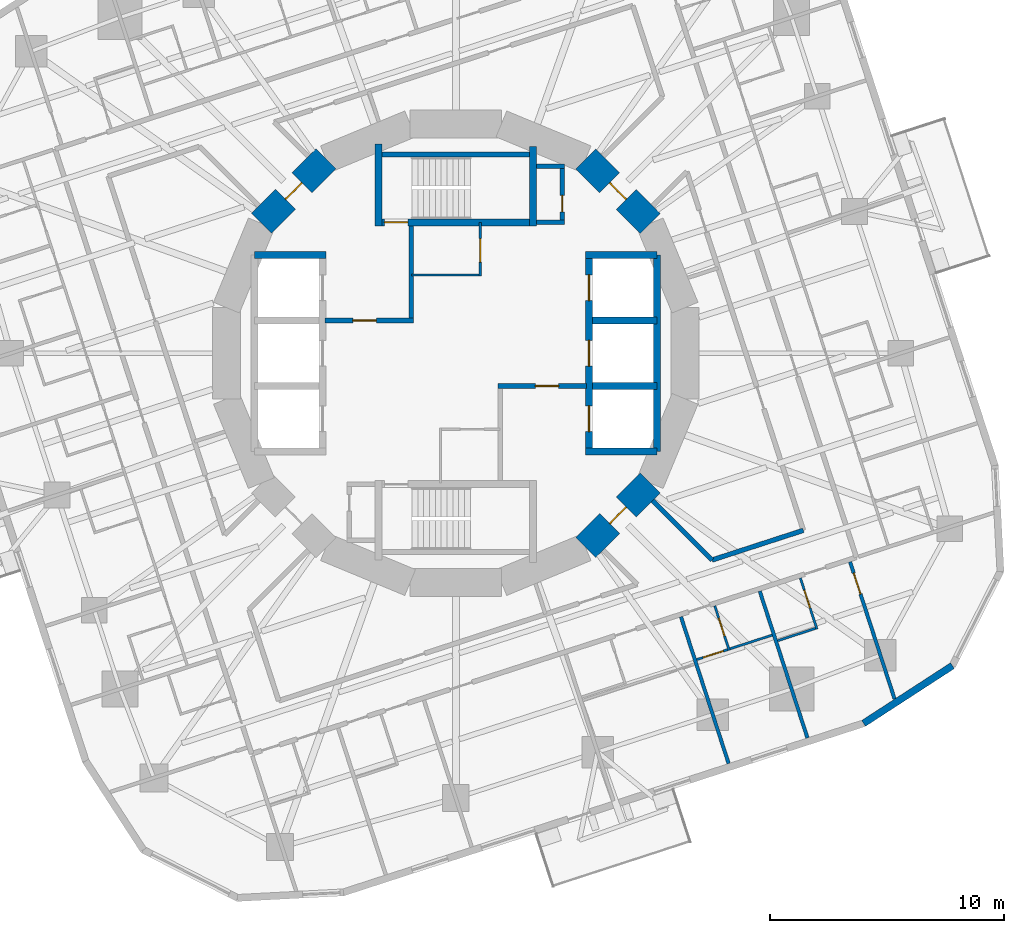
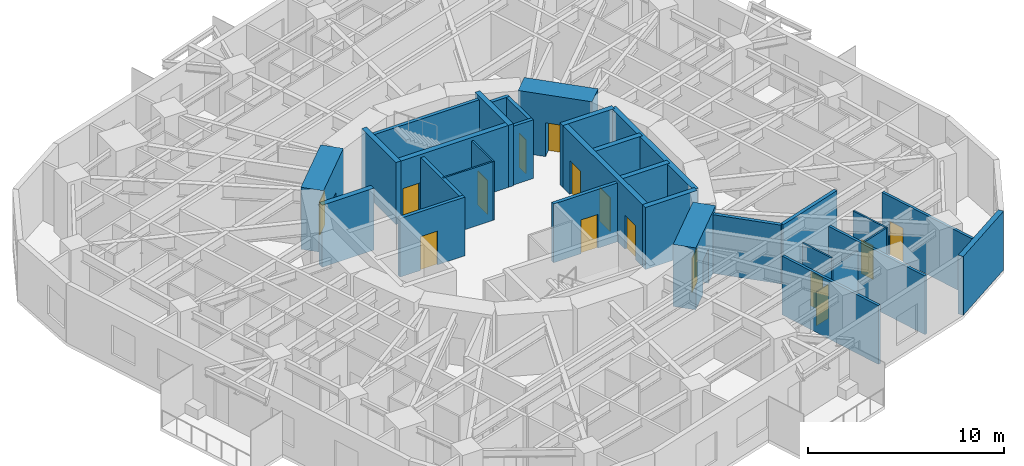
# One storey, part 7 of 13: 33 walls, 15 doors, 15 openings.
"""IFC4 building model written with IfcOpenShell, lengths in metres."""

from ifc_helpers import new_model, si_unit, direction, frame, frame_2d, origin, place, context, subcontext, project, spatial, rectangle, extrude, material, layer, layer_set, type_object, element, fill, save


model = new_model("IFC4")

# Units and contexts
model_context = context("Model", 3, precision=1e-05, world=origin(), true_north=direction((0.0, 1.0)))
body_context = subcontext(model_context, "Body", "Model", "MODEL_VIEW")
ifc_project = project(units=[si_unit("LENGTHUNIT", "METRE"), si_unit("AREAUNIT", "SQUARE_METRE"), si_unit("VOLUMEUNIT", "CUBIC_METRE"), si_unit("PLANEANGLEUNIT", "RADIAN"), si_unit("MASSUNIT", "GRAM", prefix="KILO")], contexts=[model_context])

# Site, building, storey
site_placement = place(None, origin())
site = spatial("IfcSite", under=ifc_project, at=site_placement, CompositionType="ELEMENT")
building_placement = place(site_placement, origin())
building = spatial("IfcBuilding", under=site, at=building_placement, Name="Nakasero Lantern House", CompositionType="ELEMENT")
storey_placement = place(building_placement, frame((0.0, 0.0, 157.199951171875)))
storey = spatial("IfcBuildingStorey", under=building, at=storey_placement, Name="L38", CompositionType="ELEMENT", Elevation=157.199951171875)

# Wall, openings, doors
ifc_material_1 = material(Name="Concrete C50/60", Category="concrete")
ifc_layer_1 = layer(ifc_material_1, 0.300048828125)
ifc_layer_set_1 = layer_set([ifc_layer_1], Name="Core inner wall 300")
wall_type_1 = type_object("IfcWallType", Name="Core inner wall 300", PredefinedType="SHEAR", material=ifc_layer_set_1)
wall_1_placement = place(storey_placement, frame((5.699951171875, -4.199951171875, 0.0), z_axis=(0.0, 0.0, 1.0), x_axis=(0.0, 1.0, 0.0)))
wall_1 = element("IfcWall", 1, at=wall_1_placement, inside=storey, type_object=wall_type_1, Name="Core inner wall L38 LE", PredefinedType="SHEAR", context=body_context, shape_type="SweptSolid", body=[
    extrude(rectangle(XDim=8.39990234375, YDim=0.300048828125, at=frame_2d((4.199951171875, 0.0))), origin(), (0.0, 0.0, 1.0), 3.85009765625),
])
opening_1_placement = place(wall_1_placement, frame((0.85009765625, 0.0, 0.0)))
opening_1 = element("IfcOpeningElement", 2, at=opening_1_placement, cuts=wall_1, Name="Opening LD", PredefinedType="OPENING", context=body_context, shape_type="SweptSolid", body=[
    extrude(rectangle(XDim=1.10009765625, YDim=2.10009765625, at=frame_2d((0.550048828125, 1.050048828125))), frame((0.0, 0.169921875, 0.0), z_axis=(0.0, -1.0, 0.0), x_axis=(1.0, 0.0, 0.0)), (0.0, 0.0, 1.0), 0.340087890625),
])
opening_2_placement = place(wall_1_placement, frame((3.64990234375, 0.0, 0.0)))
opening_2 = element("IfcOpeningElement", 3, at=opening_2_placement, cuts=wall_1, Name="Opening LD", PredefinedType="OPENING", context=body_context, shape_type="SweptSolid", body=[
    extrude(rectangle(XDim=1.10009765625, YDim=2.10009765625, at=frame_2d((0.550048828125, 1.050048828125))), frame((0.0, 0.169921875, 0.0), z_axis=(0.0, -1.0, 0.0), x_axis=(1.0, 0.0, 0.0)), (0.0, 0.0, 1.0), 0.340087890625),
])
opening_3_placement = place(wall_1_placement, frame((6.449951171875, 0.0, 0.0)))
opening_3 = element("IfcOpeningElement", 4, at=opening_3_placement, cuts=wall_1, Name="Opening LD", PredefinedType="OPENING", context=body_context, shape_type="SweptSolid", body=[
    extrude(rectangle(XDim=1.10009765625, YDim=2.10009765625, at=frame_2d((0.550048828125, 1.050048828125))), frame((0.0, 0.169921875, 0.0), z_axis=(0.0, -1.0, 0.0), x_axis=(1.0, 0.0, 0.0)), (0.0, 0.0, 1.0), 0.340087890625),
])
ifc_material_2 = material(Name="Steel S355", Category="steel")
door_type_1 = type_object("IfcDoorType", Name="Lift landing door E120 1100", OperationType="SLIDING_TO_LEFT", PredefinedType="DOOR", material=ifc_material_2)
door_1_placement = place(opening_1_placement, origin())
door_1 = element("IfcDoor", 5, at=door_1_placement, inside=storey, type_object=door_type_1, Name="Lift landing door LE1", OperationType="SLIDING_TO_LEFT", OverallHeight=2.10009765625, OverallWidth=1.10009765625, PredefinedType="DOOR", context=body_context, shape_type="SweptSolid", body=[
    extrude(rectangle(XDim=1.10009765625, YDim=2.10009765625, at=frame_2d((0.550048828125, 1.050048828125))), frame((0.0, 0.02490234375, 0.0), z_axis=(0.0, -1.0, 0.0), x_axis=(1.0, 0.0, 0.0)), (0.0, 0.0, 1.0), 0.050048828125),
])
fill(opening_1, door_1)
door_2_placement = place(opening_2_placement, origin())
door_2 = element("IfcDoor", 6, at=door_2_placement, inside=storey, type_object=door_type_1, Name="Lift landing door LE2", OperationType="SLIDING_TO_LEFT", OverallHeight=2.10009765625, OverallWidth=1.10009765625, PredefinedType="DOOR", context=body_context, shape_type="SweptSolid", body=[
    extrude(rectangle(XDim=1.10009765625, YDim=2.10009765625, at=frame_2d((0.550048828125, 1.050048828125))), frame((0.0, 0.02490234375, 0.0), z_axis=(0.0, -1.0, 0.0), x_axis=(1.0, 0.0, 0.0)), (0.0, 0.0, 1.0), 0.050048828125),
])
fill(opening_2, door_2)
door_3_placement = place(opening_3_placement, origin())
door_3 = element("IfcDoor", 7, at=door_3_placement, inside=storey, type_object=door_type_1, Name="Lift landing door LE3", OperationType="SLIDING_TO_LEFT", OverallHeight=2.10009765625, OverallWidth=1.10009765625, PredefinedType="DOOR", context=body_context, shape_type="SweptSolid", body=[
    extrude(rectangle(XDim=1.10009765625, YDim=2.10009765625, at=frame_2d((0.550048828125, 1.050048828125))), frame((0.0, 0.02490234375, 0.0), z_axis=(0.0, -1.0, 0.0), x_axis=(1.0, 0.0, 0.0)), (0.0, 0.0, 1.0), 0.050048828125),
])
fill(opening_3, door_3)

# Walls
for number, where, z_axis, x_axis, name in (
    (8, (-8.60009765625, 4.199951171875, 0.0), (0.0, 0.0, 1.0), (1.0, 0.0, 0.0), "Core inner wall L38 LWN"),
    (9, (5.550048828125, 4.199951171875, 0.0), (0.0, 0.0, 1.0), (1.0, 0.0, 0.0), "Core inner wall L38 LEN"),
    (10, (5.550048828125, -4.199951171875, 0.0), (0.0, 0.0, 1.0), (1.0, 0.0, 0.0), "Core inner wall L38 LES"),
):
    element("IfcWall", number, at=place(storey_placement, frame(where, z_axis=z_axis, x_axis=x_axis)), inside=storey, type_object=wall_type_1, Name=name, PredefinedType="SHEAR", context=body_context, shape_type="SweptSolid", body=[
        extrude(rectangle(XDim=3.050048828125, YDim=0.300048828125, at=frame_2d((1.52490234375, 0.0))), origin(), (0.0, 0.0, 1.0), 3.85009765625),
    ])
wall_2_placement = place(storey_placement, frame((8.60009765625, -4.199951171875, 0.0), z_axis=(0.0, 0.0, 1.0), x_axis=(0.0, 1.0, 0.0)))
element("IfcWall", 11, at=wall_2_placement, inside=storey, type_object=wall_type_1, Name="Core inner wall L38 LEB", PredefinedType="SHEAR", context=body_context, shape_type="SweptSolid", body=[
    extrude(rectangle(XDim=8.39990234375, YDim=0.300048828125, at=frame_2d((4.199951171875, 0.0))), origin(), (0.0, 0.0, 1.0), 3.85009765625),
])
for number, where, z_axis, x_axis, name in (
    (12, (5.85009765625, -1.39990234375, 0.0), (0.0, 0.0, 1.0), (1.0, 0.0, 0.0), "Core inner wall L38 LE1"),
    (13, (5.85009765625, 1.39990234375, 0.0), (0.0, 0.0, 1.0), (1.0, 0.0, 0.0), "Core inner wall L38 LE2"),
):
    element("IfcWall", number, at=place(storey_placement, frame(where, z_axis=z_axis, x_axis=x_axis)), inside=storey, type_object=wall_type_1, Name=name, PredefinedType="SHEAR", context=body_context, shape_type="SweptSolid", body=[
        extrude(rectangle(XDim=2.75, YDim=0.300048828125, at=frame_2d((1.375, 0.0))), origin(), (0.0, 0.0, 1.0), 3.85009765625),
    ])

# Wall, opening, door
wall_3_placement = place(storey_placement, frame((-3.449951171875, 5.60009765625, 0.0), z_axis=(0.0, 0.0, 1.0), x_axis=(1.0, 0.0, 0.0)))
wall_3 = element("IfcWall", 14, at=wall_3_placement, inside=storey, type_object=wall_type_1, Name="Core inner wall L38 SN", PredefinedType="SHEAR", context=body_context, shape_type="SweptSolid", body=[
    extrude(rectangle(XDim=6.89990234375, YDim=0.300048828125, at=frame_2d((3.449951171875, 0.0))), origin(), (0.0, 0.0, 1.0), 3.85009765625),
])
opening_4_placement = place(wall_3_placement, frame((0.39990234375, 0.0, 0.0)))
opening_4 = element("IfcOpeningElement", 15, at=opening_4_placement, cuts=wall_3, Name="Opening D05", PredefinedType="OPENING", context=body_context, shape_type="SweptSolid", body=[
    extrude(rectangle(XDim=1.0, YDim=2.10009765625, at=frame_2d((0.5, 1.050048828125))), frame((0.0, 0.169921875, 0.0), z_axis=(0.0, -1.0, 0.0), x_axis=(1.0, 0.0, 0.0)), (0.0, 0.0, 1.0), 0.340087890625),
])
ifc_material_3 = material(Name="Timber C24", Category="wood")
door_type_2 = type_object("IfcDoorType", Name="Core door FD60S 1000", OperationType="SINGLE_SWING_LEFT", PredefinedType="DOOR", material=ifc_material_3)
door_4_placement = place(opening_4_placement, origin())
door_4 = element("IfcDoor", 16, at=door_4_placement, inside=storey, type_object=door_type_2, Name="Door L38 D-ST1", OperationType="SINGLE_SWING_LEFT", OverallHeight=2.10009765625, OverallWidth=1.0, PredefinedType="DOOR", context=body_context, shape_type="SweptSolid", body=[
    extrude(rectangle(XDim=1.0, YDim=2.10009765625, at=frame_2d((0.5, 1.050048828125))), frame((0.0, 0.02490234375, 0.0), z_axis=(0.0, -1.0, 0.0), x_axis=(1.0, 0.0, 0.0)), (0.0, 0.0, 1.0), 0.050048828125),
])
fill(opening_4, door_4)

# Walls
wall_4_placement = place(storey_placement, frame((-3.300048828125, 5.449951171875, 0.0), z_axis=(0.0, 0.0, 1.0), x_axis=(0.0, 1.0, 0.0)))
element("IfcWall", 17, at=wall_4_placement, inside=storey, type_object=wall_type_1, Name="Core inner wall L38 SNW", PredefinedType="SHEAR", context=body_context, shape_type="SweptSolid", body=[
    extrude(rectangle(XDim=3.5, YDim=0.300048828125, at=frame_2d((1.75, 0.0))), origin(), (0.0, 0.0, 1.0), 3.85009765625),
])
wall_5_placement = place(storey_placement, frame((3.300048828125, 5.449951171875, 0.0), z_axis=(0.0, 0.0, 1.0), x_axis=(0.0, 1.0, 0.0)))
element("IfcWall", 18, at=wall_5_placement, inside=storey, type_object=wall_type_1, Name="Core inner wall L38 SNE", PredefinedType="SHEAR", context=body_context, shape_type="SweptSolid", body=[
    extrude(rectangle(XDim=3.400146484375, YDim=0.300048828125, at=frame_2d((1.7001953125, 0.0))), origin(), (0.0, 0.0, 1.0), 3.85009765625),
])
ifc_material_4 = material(Name="Blockwork", Category="masonry")
ifc_layer_2 = layer(ifc_material_4, 0.10009765625)
ifc_layer_set_2 = layer_set([ifc_layer_2], Name="Core room wall 100")
wall_type_2 = type_object("IfcWallType", Name="Core room wall 100", PredefinedType="PARTITIONING", material=ifc_layer_set_2)
wall_6_placement = place(storey_placement, frame((-1.89990234375, 3.35009765625, 0.0), z_axis=(0.0, 0.0, 1.0), x_axis=(1.0, 0.0, 0.0)))
element("IfcWall", 19, at=wall_6_placement, inside=storey, type_object=wall_type_2, Name="Core room wall L38 CR-NES", PredefinedType="PARTITIONING", context=body_context, shape_type="SweptSolid", body=[
    extrude(rectangle(XDim=3.0, YDim=0.10009765625, at=frame_2d((1.5, 0.0))), origin(), (0.0, 0.0, 1.0), 3.650146484375),
])

# Wall, opening, door
wall_7_placement = place(storey_placement, frame((1.050048828125, 3.300048828125, 0.0), z_axis=(0.0, 0.0, 1.0), x_axis=(0.0, 1.0, 0.0)))
wall_7 = element("IfcWall", 20, at=wall_7_placement, inside=storey, type_object=wall_type_2, Name="Core room wall L38 CR-NEE", PredefinedType="PARTITIONING", context=body_context, shape_type="SweptSolid", body=[
    extrude(rectangle(XDim=2.300048828125, YDim=0.10009765625, at=frame_2d((1.14990234375, 0.0))), origin(), (0.0, 0.0, 1.0), 3.650146484375),
])
opening_5_placement = place(wall_7_placement, frame((0.60009765625, 0.0, 0.0)))
opening_5 = element("IfcOpeningElement", 21, at=opening_5_placement, cuts=wall_7, Name="Opening D13", PredefinedType="OPENING", context=body_context, shape_type="SweptSolid", body=[
    extrude(rectangle(XDim=1.0, YDim=2.10009765625, at=frame_2d((0.5, 1.050048828125))), frame((0.0, 0.070068359375, 0.0), z_axis=(0.0, -1.0, 0.0), x_axis=(1.0, 0.0, 0.0)), (0.0, 0.0, 1.0), 0.14013671875),
])
ifc_material_5 = material(Name="Steel S355", Category="steel")
door_type_3 = type_object("IfcDoorType", Name="Plant room door FD60 1000", OperationType="SINGLE_SWING_LEFT", PredefinedType="DOOR", material=ifc_material_5)
door_5_placement = place(opening_5_placement, origin())
door_5 = element("IfcDoor", 22, at=door_5_placement, inside=storey, type_object=door_type_3, Name="Door L38 D-CR-NE", OperationType="SINGLE_SWING_LEFT", OverallHeight=2.10009765625, OverallWidth=1.0, PredefinedType="DOOR", context=body_context, shape_type="SweptSolid", body=[
    extrude(rectangle(XDim=1.0, YDim=2.10009765625, at=frame_2d((0.5, 1.050048828125))), frame((0.0, 0.02490234375, 0.0), z_axis=(0.0, -1.0, 0.0), x_axis=(1.0, 0.0, 0.0)), (0.0, 0.0, 1.0), 0.050048828125),
])
fill(opening_5, door_5)

ifc_material_6 = material(Name="Concrete C50/60", Category="concrete")
ifc_layer_3 = layer(ifc_material_6, 1.199951171875)
ifc_layer_set_3 = layer_set([ifc_layer_3], Name="Core wall 1200")
wall_type_3 = type_object("IfcWallType", Name="Core wall 1200", PredefinedType="SHEAR", material=ifc_layer_set_3)
wall_8_placement = place(storey_placement, frame((8.314697265625, 5.5556640625, 0.0), z_axis=(0.0, 0.0, 1.0), x_axis=(-0.707106781187, 0.707106781187, 0.0)))
wall_8 = element("IfcWall", 23, at=wall_8_placement, inside=storey, type_object=wall_type_3, Name="Core wall L38 facet 2", PredefinedType="SHEAR", context=body_context, shape_type="SweptSolid", body=[
    extrude(rectangle(XDim=3.90185546875, YDim=1.199951171875, at=frame_2d((1.950927734375, 0.0))), origin(), (0.0, 0.0, 1.0), 3.85009765625),
])
opening_6_placement = place(wall_8_placement, frame((1.450927734375, 0.0, 0.0)))
opening_6 = element("IfcOpeningElement", 24, at=opening_6_placement, cuts=wall_8, Name="Opening D05", PredefinedType="OPENING", context=body_context, shape_type="SweptSolid", body=[
    extrude(rectangle(XDim=1.0, YDim=2.10009765625, at=frame_2d((0.5, 1.050048828125))), frame((0.0, 0.619873046875, 0.0), z_axis=(0.0, -1.0, 0.0), x_axis=(1.0, 0.0, 0.0)), (0.0, 0.0, 1.0), 1.239990234375),
])
door_6_placement = place(opening_6_placement, origin())
door_6 = element("IfcDoor", 25, at=door_6_placement, inside=storey, type_object=door_type_2, Name="Door L38 D-CORE02", OperationType="SINGLE_SWING_LEFT", OverallHeight=2.10009765625, OverallWidth=1.0, PredefinedType="DOOR", context=body_context, shape_type="SweptSolid", body=[
    extrude(rectangle(XDim=1.0, YDim=2.10009765625, at=frame_2d((0.5, 1.050048828125))), frame((0.0, 0.02490234375, 0.0), z_axis=(0.0, -1.0, 0.0), x_axis=(1.0, 0.0, 0.0)), (0.0, 0.0, 1.0), 0.050048828125),
])
fill(opening_6, door_6)

wall_9_placement = place(storey_placement, frame((-5.5556640625, 8.314697265625, 0.0), z_axis=(0.0, 0.0, 1.0), x_axis=(-0.707106781187, -0.707106781187, 0.0)))
wall_9 = element("IfcWall", 26, at=wall_9_placement, inside=storey, type_object=wall_type_3, Name="Core wall L38 facet 6", PredefinedType="SHEAR", context=body_context, shape_type="SweptSolid", body=[
    extrude(rectangle(XDim=3.90185546875, YDim=1.199951171875, at=frame_2d((1.950927734375, 0.0))), origin(), (0.0, 0.0, 1.0), 3.85009765625),
])
opening_7_placement = place(wall_9_placement, frame((1.450927734375, 0.0, 0.0)))
opening_7 = element("IfcOpeningElement", 27, at=opening_7_placement, cuts=wall_9, Name="Opening D05", PredefinedType="OPENING", context=body_context, shape_type="SweptSolid", body=[
    extrude(rectangle(XDim=1.0, YDim=2.10009765625, at=frame_2d((0.5, 1.050048828125))), frame((0.0, 0.619873046875, 0.0), z_axis=(0.0, -1.0, 0.0), x_axis=(1.0, 0.0, 0.0)), (0.0, 0.0, 1.0), 1.239990234375),
])
door_7_placement = place(opening_7_placement, origin())
door_7 = element("IfcDoor", 28, at=door_7_placement, inside=storey, type_object=door_type_2, Name="Door L38 D-CORE06", OperationType="SINGLE_SWING_LEFT", OverallHeight=2.10009765625, OverallWidth=1.0, PredefinedType="DOOR", context=body_context, shape_type="SweptSolid", body=[
    extrude(rectangle(XDim=1.0, YDim=2.10009765625, at=frame_2d((0.5, 1.050048828125))), frame((0.0, 0.02490234375, 0.0), z_axis=(0.0, -1.0, 0.0), x_axis=(1.0, 0.0, 0.0)), (0.0, 0.0, 1.0), 0.050048828125),
])
fill(opening_7, door_7)

wall_10_placement = place(storey_placement, frame((5.5556640625, -8.314697265625, 0.0), z_axis=(0.0, 0.0, 1.0), x_axis=(0.707106781187, 0.707106781187, 0.0)))
wall_10 = element("IfcWall", 29, at=wall_10_placement, inside=storey, type_object=wall_type_3, Name="Core wall L38 facet 14", PredefinedType="SHEAR", context=body_context, shape_type="SweptSolid", body=[
    extrude(rectangle(XDim=3.90185546875, YDim=1.199951171875, at=frame_2d((1.950927734375, 0.0))), origin(), (0.0, 0.0, 1.0), 3.85009765625),
])
opening_8_placement = place(wall_10_placement, frame((1.450927734375, 0.0, 0.0)))
opening_8 = element("IfcOpeningElement", 30, at=opening_8_placement, cuts=wall_10, Name="Opening D05", PredefinedType="OPENING", context=body_context, shape_type="SweptSolid", body=[
    extrude(rectangle(XDim=1.0, YDim=2.10009765625, at=frame_2d((0.5, 1.050048828125))), frame((0.0, 0.619873046875, 0.0), z_axis=(0.0, -1.0, 0.0), x_axis=(1.0, 0.0, 0.0)), (0.0, 0.0, 1.0), 1.239990234375),
])
door_8_placement = place(opening_8_placement, origin())
door_8 = element("IfcDoor", 31, at=door_8_placement, inside=storey, type_object=door_type_2, Name="Door L38 D-CORE14", OperationType="SINGLE_SWING_LEFT", OverallHeight=2.10009765625, OverallWidth=1.0, PredefinedType="DOOR", context=body_context, shape_type="SweptSolid", body=[
    extrude(rectangle(XDim=1.0, YDim=2.10009765625, at=frame_2d((0.5, 1.050048828125))), frame((0.0, 0.02490234375, 0.0), z_axis=(0.0, -1.0, 0.0), x_axis=(1.0, 0.0, 0.0)), (0.0, 0.0, 1.0), 0.050048828125),
])
fill(opening_8, door_8)

# Walls
ifc_material_7 = material(Name="Blockwork", Category="masonry")
ifc_layer_4 = layer(ifc_material_7, 0.199951171875)
ifc_layer_set_4 = layer_set([ifc_layer_4], Name="Corridor wall 200")
wall_type_4 = type_object("IfcWallType", Name="Corridor wall 200", PredefinedType="PARTITIONING", material=ifc_layer_set_4)
wall_11_placement = place(storey_placement, frame((10.965576171875, -8.84423828125, 0.0), z_axis=(0.0, 0.0, 1.0), x_axis=(0.951070782935, 0.308973082722, 0.0)))
element("IfcWall", 32, at=wall_11_placement, inside=storey, type_object=wall_type_4, Name="Corridor wall L38 IW3-1", PredefinedType="PARTITIONING", context=body_context, shape_type="SweptSolid", body=[
    extrude(rectangle(XDim=4.104248046875, YDim=0.199951171875, at=frame_2d((2.05224609375, 0.0))), origin(), (0.0, 0.0, 1.0), 3.650146484375),
])
wall_12_placement = place(storey_placement, frame((8.420166015625, -6.298828125, 0.0), z_axis=(0.0, 0.0, 1.0), x_axis=(0.707106781187, -0.707106781187, 0.0)))
element("IfcWall", 33, at=wall_12_placement, inside=storey, type_object=wall_type_4, Name="Corridor wall L38 PS14a", PredefinedType="PARTITIONING", context=body_context, shape_type="SweptSolid", body=[
    extrude(rectangle(XDim=3.599853515625, YDim=0.199951171875, at=frame_2d((1.7998046875, 0.0))), origin(), (0.0, 0.0, 1.0), 3.650146484375),
])

# Wall, opening, door
ifc_material_8 = material(Name="Blockwork", Category="masonry")
ifc_layer_5 = layer(ifc_material_8, 0.10009765625)
ifc_layer_set_5 = layer_set([ifc_layer_5], Name="En-suite wall 100")
wall_type_5 = type_object("IfcWallType", Name="En-suite wall 100", PredefinedType="PARTITIONING", material=ifc_layer_set_5)
wall_13_placement = place(storey_placement, frame((11.07861328125, -10.805419921875, 0.0), z_axis=(0.0, 0.0, 1.0), x_axis=(0.309077791808, -0.951036759863, 0.0)))
wall_13 = element("IfcWall", 34, at=wall_13_placement, inside=storey, type_object=wall_type_5, Name="En-suite wall L38 ES3-05", PredefinedType="PARTITIONING", context=body_context, shape_type="SweptSolid", body=[
    extrude(rectangle(XDim=2.0, YDim=0.10009765625, at=frame_2d((1.0, 0.0))), origin(), (0.0, 0.0, 1.0), 3.650146484375),
])
opening_9_placement = place(wall_13_placement, frame((0.550048828125, 0.0, 0.0)))
opening_9 = element("IfcOpeningElement", 35, at=opening_9_placement, cuts=wall_13, Name="Opening D02", PredefinedType="OPENING", context=body_context, shape_type="SweptSolid", body=[
    extrude(rectangle(XDim=0.800048828125, YDim=2.10009765625, at=frame_2d((0.39990234375, 1.050048828125))), frame((0.0, 0.070068359375, 0.0), z_axis=(0.0, -1.0, 0.0), x_axis=(1.0, 0.0, 0.0)), (0.0, 0.0, 1.0), 0.14013671875),
])
ifc_material_9 = material(Name="Timber C24", Category="wood")
door_type_4 = type_object("IfcDoorType", Name="En-suite door 800", OperationType="SINGLE_SWING_RIGHT", PredefinedType="DOOR", material=ifc_material_9)
door_9_placement = place(opening_9_placement, origin())
door_9 = element("IfcDoor", 36, at=door_9_placement, inside=storey, type_object=door_type_4, Name="Door L38 DE3-05", OperationType="SINGLE_SWING_LEFT", OverallHeight=2.10009765625, OverallWidth=0.800048828125, PredefinedType="DOOR", context=body_context, shape_type="SweptSolid", body=[
    extrude(rectangle(XDim=0.800048828125, YDim=2.10009765625, at=frame_2d((0.39990234375, 1.050048828125))), frame((0.0, 0.02490234375, 0.0), z_axis=(0.0, -1.0, 0.0), x_axis=(1.0, 0.0, 0.0)), (0.0, 0.0, 1.0), 0.050048828125),
])
fill(opening_9, door_9)

# Wall
wall_14_placement = place(storey_placement, frame((11.728759765625, -12.64453125, 0.0), z_axis=(0.0, 0.0, 1.0), x_axis=(0.951058615481, 0.309010533671, 0.0)))
element("IfcWall", 37, at=wall_14_placement, inside=storey, type_object=wall_type_5, Name="En-suite wall L38 EE3-05", PredefinedType="PARTITIONING", context=body_context, shape_type="SweptSolid", body=[
    extrude(rectangle(XDim=1.900146484375, YDim=0.10009765625, at=frame_2d((0.9501953125, 0.0))), origin(), (0.0, 0.0, 1.0), 3.037841796875),
])

# Wall, opening, door
wall_15_placement = place(storey_placement, frame((14.740234375, -9.61572265625, 0.0), z_axis=(0.0, 0.0, 1.0), x_axis=(0.309021261611, -0.951055129775, 0.0)))
wall_15 = element("IfcWall", 38, at=wall_15_placement, inside=storey, type_object=wall_type_5, Name="En-suite wall L38 ES3-06", PredefinedType="PARTITIONING", context=body_context, shape_type="SweptSolid", body=[
    extrude(rectangle(XDim=2.2998046875, YDim=0.10009765625, at=frame_2d((1.14990234375, 0.0))), origin(), (0.0, 0.0, 1.0), 3.650146484375),
])
opening_10_placement = place(wall_15_placement, frame((0.550048828125, 0.0, 0.0)))
opening_10 = element("IfcOpeningElement", 39, at=opening_10_placement, cuts=wall_15, Name="Opening D02", PredefinedType="OPENING", context=body_context, shape_type="SweptSolid", body=[
    extrude(rectangle(XDim=0.800048828125, YDim=2.10009765625, at=frame_2d((0.39990234375, 1.050048828125))), frame((0.0, 0.070068359375, 0.0), z_axis=(0.0, -1.0, 0.0), x_axis=(1.0, 0.0, 0.0)), (0.0, 0.0, 1.0), 0.14013671875),
])
door_10_placement = place(opening_10_placement, origin())
door_10 = element("IfcDoor", 40, at=door_10_placement, inside=storey, type_object=door_type_4, Name="Door L38 DE3-06", OperationType="SINGLE_SWING_LEFT", OverallHeight=2.10009765625, OverallWidth=0.800048828125, PredefinedType="DOOR", context=body_context, shape_type="SweptSolid", body=[
    extrude(rectangle(XDim=0.800048828125, YDim=2.10009765625, at=frame_2d((0.39990234375, 1.050048828125))), frame((0.0, 0.02490234375, 0.0), z_axis=(0.0, -1.0, 0.0), x_axis=(1.0, 0.0, 0.0)), (0.0, 0.0, 1.0), 0.050048828125),
])
fill(opening_10, door_10)

# Wall
wall_16_placement = place(storey_placement, frame((13.771240234375, -12.29638671875, 0.0), z_axis=(0.0, 0.0, 1.0), x_axis=(0.951040401051, 0.309066587596, 0.0)))
element("IfcWall", 41, at=wall_16_placement, inside=storey, type_object=wall_type_5, Name="En-suite wall L38 EE3-06", PredefinedType="PARTITIONING", context=body_context, shape_type="SweptSolid", body=[
    extrude(rectangle(XDim=1.699951171875, YDim=0.10009765625, at=frame_2d((0.85009765625, 0.0))), origin(), (0.0, 0.0, 1.0), 3.650146484375),
])

# Wall, opening, door
wall_17_placement = place(storey_placement, frame((10.3076171875, -13.106201171875, 0.0), z_axis=(0.0, 0.0, 1.0), x_axis=(0.95105465306, 0.309022728765, 0.0)))
wall_17 = element("IfcWall", 42, at=wall_17_placement, inside=storey, type_object=wall_type_5, Name="En-suite wall L38 EL3-05", PredefinedType="PARTITIONING", context=body_context, shape_type="SweptSolid", body=[
    extrude(rectangle(XDim=1.39453125, YDim=0.10009765625, at=frame_2d((0.697265625, 0.0))), origin(), (0.0, 0.0, 1.0), 3.037841796875),
])
opening_11_placement = place(wall_17_placement, frame((0.294189453125, 0.0, 0.0)))
opening_11 = element("IfcOpeningElement", 43, at=opening_11_placement, cuts=wall_17, Name="Opening D17", PredefinedType="OPENING", context=body_context, shape_type="SweptSolid", body=[
    extrude(rectangle(XDim=0.89990234375, YDim=2.10009765625, at=frame_2d((0.449951171875, 1.050048828125))), frame((0.0, 0.070068359375, 0.0), z_axis=(0.0, -1.0, 0.0), x_axis=(1.0, 0.0, 0.0)), (0.0, 0.0, 1.0), 0.14013671875),
])
ifc_material_10 = material(Name="Timber C24", Category="wood")
door_type_5 = type_object("IfcDoorType", Name="Bedroom door FD30S 900", OperationType="SINGLE_SWING_LEFT", PredefinedType="DOOR", material=ifc_material_10)
door_11_placement = place(opening_11_placement, origin())
door_11 = element("IfcDoor", 44, at=door_11_placement, inside=storey, type_object=door_type_5, Name="Door L38 DL3-05", OperationType="SINGLE_SWING_RIGHT", OverallHeight=2.10009765625, OverallWidth=0.89990234375, PredefinedType="DOOR", context=body_context, shape_type="SweptSolid", body=[
    extrude(rectangle(XDim=0.89990234375, YDim=2.10009765625, at=frame_2d((0.449951171875, 1.050048828125))), frame((0.0, 0.02490234375, 0.0), z_axis=(0.0, -1.0, 0.0), x_axis=(1.0, 0.0, 0.0)), (0.0, 0.0, 1.0), 0.050048828125),
])
fill(opening_11, door_11)

# Wall
ifc_material_11 = material(Name="Aluminium rainscreen on blockwork", Category="masonry")
ifc_layer_6 = layer(ifc_material_11, 0.300048828125)
ifc_layer_set_6 = layer_set([ifc_layer_6], Name="Facade wall 300")
wall_type_6 = type_object("IfcWallType", Name="Facade wall 300", PredefinedType="SOLIDWALL", material=ifc_layer_set_6)
wall_18_placement = place(storey_placement, frame((17.44677734375, -15.83349609375, 0.0), z_axis=(0.0, 0.0, 1.0), x_axis=(0.838673836229, 0.544634002266, 0.0)))
element("IfcWall", 45, at=wall_18_placement, inside=storey, type_object=wall_type_6, Name="Facade wall L38 FW3C1", PredefinedType="SOLIDWALL", context=body_context, shape_type="SweptSolid", body=[
    extrude(rectangle(XDim=4.529296875, YDim=0.300048828125, at=frame_2d((2.2646484375, 0.0))), origin(), (0.0, 0.0, 1.0), 3.650146484375),
])

# Wall, opening, door
ifc_material_12 = material(Name="Blockwork", Category="masonry")
ifc_layer_7 = layer(ifc_material_12, 0.199951171875)
ifc_layer_set_7 = layer_set([ifc_layer_7], Name="Fire lobby wall 200")
wall_type_7 = type_object("IfcWallType", Name="Fire lobby wall 200", PredefinedType="PARTITIONING", material=ifc_layer_set_7)
wall_19_placement = place(storey_placement, frame((-5.60009765625, 1.39990234375, 0.0), z_axis=(0.0, 0.0, 1.0), x_axis=(1.0, 0.0, 0.0)))
wall_19 = element("IfcWall", 46, at=wall_19_placement, inside=storey, type_object=wall_type_7, Name="Fire lobby wall L38 W-FL1S", PredefinedType="PARTITIONING", context=body_context, shape_type="SweptSolid", body=[
    extrude(rectangle(XDim=3.800048828125, YDim=0.199951171875, at=frame_2d((1.89990234375, 0.0))), origin(), (0.0, 0.0, 1.0), 3.650146484375),
])
opening_12_placement = place(wall_19_placement, frame((1.199951171875, 0.0, 0.0)))
opening_12 = element("IfcOpeningElement", 47, at=opening_12_placement, cuts=wall_19, Name="Opening D05", PredefinedType="OPENING", context=body_context, shape_type="SweptSolid", body=[
    extrude(rectangle(XDim=1.0, YDim=2.10009765625, at=frame_2d((0.5, 1.050048828125))), frame((0.0, 0.119873046875, 0.0), z_axis=(0.0, -1.0, 0.0), x_axis=(1.0, 0.0, 0.0)), (0.0, 0.0, 1.0), 0.239990234375),
])
door_12_placement = place(opening_12_placement, origin())
door_12 = element("IfcDoor", 48, at=door_12_placement, inside=storey, type_object=door_type_2, Name="Door L38 D-FL1", OperationType="SINGLE_SWING_LEFT", OverallHeight=2.10009765625, OverallWidth=1.0, PredefinedType="DOOR", context=body_context, shape_type="SweptSolid", body=[
    extrude(rectangle(XDim=1.0, YDim=2.10009765625, at=frame_2d((0.5, 1.050048828125))), frame((0.0, 0.02490234375, 0.0), z_axis=(0.0, -1.0, 0.0), x_axis=(1.0, 0.0, 0.0)), (0.0, 0.0, 1.0), 0.050048828125),
])
fill(opening_12, door_12)

# Wall
wall_20_placement = place(storey_placement, frame((-1.89990234375, 1.5, 0.0), z_axis=(0.0, 0.0, 1.0), x_axis=(0.0, 1.0, 0.0)))
element("IfcWall", 49, at=wall_20_placement, inside=storey, type_object=wall_type_7, Name="Fire lobby wall L38 W-FL1E", PredefinedType="PARTITIONING", context=body_context, shape_type="SweptSolid", body=[
    extrude(rectangle(XDim=3.949951171875, YDim=0.199951171875, at=frame_2d((1.97509765625, 0.0))), origin(), (0.0, 0.0, 1.0), 3.650146484375),
])

# Wall, opening, door
wall_21_placement = place(storey_placement, frame((5.60009765625, -1.39990234375, 0.0), z_axis=(0.0, 0.0, 1.0), x_axis=(-1.0, 0.0, 0.0)))
wall_21 = element("IfcWall", 50, at=wall_21_placement, inside=storey, type_object=wall_type_7, Name="Fire lobby wall L38 W-FL2N", PredefinedType="PARTITIONING", context=body_context, shape_type="SweptSolid", body=[
    extrude(rectangle(XDim=3.800048828125, YDim=0.199951171875, at=frame_2d((1.89990234375, 0.0))), origin(), (0.0, 0.0, 1.0), 3.650146484375),
])
opening_13_placement = place(wall_21_placement, frame((1.199951171875, 0.0, 0.0)))
opening_13 = element("IfcOpeningElement", 51, at=opening_13_placement, cuts=wall_21, Name="Opening D05", PredefinedType="OPENING", context=body_context, shape_type="SweptSolid", body=[
    extrude(rectangle(XDim=1.0, YDim=2.10009765625, at=frame_2d((0.5, 1.050048828125))), frame((0.0, 0.119873046875, 0.0), z_axis=(0.0, -1.0, 0.0), x_axis=(1.0, 0.0, 0.0)), (0.0, 0.0, 1.0), 0.239990234375),
])
door_13_placement = place(opening_13_placement, origin())
door_13 = element("IfcDoor", 52, at=door_13_placement, inside=storey, type_object=door_type_2, Name="Door L38 D-FL2", OperationType="SINGLE_SWING_LEFT", OverallHeight=2.10009765625, OverallWidth=1.0, PredefinedType="DOOR", context=body_context, shape_type="SweptSolid", body=[
    extrude(rectangle(XDim=1.0, YDim=2.10009765625, at=frame_2d((0.5, 1.050048828125))), frame((0.0, 0.02490234375, 0.0), z_axis=(0.0, -1.0, 0.0), x_axis=(1.0, 0.0, 0.0)), (0.0, 0.0, 1.0), 0.050048828125),
])
fill(opening_13, door_13)

wall_22_placement = place(storey_placement, frame((4.550048828125, 5.60009765625, 0.0), z_axis=(0.0, 0.0, 1.0), x_axis=(0.0, 1.0, 0.0)))
wall_22 = element("IfcWall", 53, at=wall_22_placement, inside=storey, type_object=wall_type_7, Name="Fire lobby wall L38 W-RS1E", PredefinedType="PARTITIONING", context=body_context, shape_type="SweptSolid", body=[
    extrude(rectangle(XDim=2.39990234375, YDim=0.199951171875, at=frame_2d((1.199951171875, 0.0))), origin(), (0.0, 0.0, 1.0), 3.650146484375),
])
opening_14_placement = place(wall_22_placement, frame((0.449951171875, 0.0, 0.0)))
opening_14 = element("IfcOpeningElement", 54, at=opening_14_placement, cuts=wall_22, Name="Opening D06", PredefinedType="OPENING", context=body_context, shape_type="SweptSolid", body=[
    extrude(rectangle(XDim=0.699951171875, YDim=2.10009765625, at=frame_2d((0.35009765625, 1.050048828125))), frame((0.0, 0.119873046875, 0.0), z_axis=(0.0, -1.0, 0.0), x_axis=(1.0, 0.0, 0.0)), (0.0, 0.0, 1.0), 0.239990234375),
])
ifc_material_13 = material(Name="Steel S355", Category="steel")
door_type_6 = type_object("IfcDoorType", Name="Riser door FD60 700", OperationType="SINGLE_SWING_LEFT", PredefinedType="DOOR", material=ifc_material_13)
door_14_placement = place(opening_14_placement, origin())
door_14 = element("IfcDoor", 55, at=door_14_placement, inside=storey, type_object=door_type_6, Name="Door L38 D-RS1", OperationType="SINGLE_SWING_LEFT", OverallHeight=2.10009765625, OverallWidth=0.699951171875, PredefinedType="DOOR", context=body_context, shape_type="SweptSolid", body=[
    extrude(rectangle(XDim=0.699951171875, YDim=2.10009765625, at=frame_2d((0.35009765625, 1.050048828125))), frame((0.0, 0.02490234375, 0.0), z_axis=(0.0, -1.0, 0.0), x_axis=(1.0, 0.0, 0.0)), (0.0, 0.0, 1.0), 0.050048828125),
])
fill(opening_14, door_14)

# Walls
for number, where, z_axis, x_axis, name in (
    (56, (3.449951171875, 8.0, 0.0), (0.0, 0.0, 1.0), (1.0, 0.0, 0.0), "Fire lobby wall L38 W-RS1N"),
    (57, (3.449951171875, 5.60009765625, 0.0), (0.0, 0.0, 1.0), (1.0, 0.0, 0.0), "Fire lobby wall L38 W-RS1S"),
):
    element("IfcWall", number, at=place(storey_placement, frame(where, z_axis=z_axis, x_axis=x_axis)), inside=storey, type_object=wall_type_7, Name=name, PredefinedType="PARTITIONING", context=body_context, shape_type="SweptSolid", body=[
        extrude(rectangle(XDim=1.199951171875, YDim=0.199951171875, at=frame_2d((0.60009765625, 0.0))), origin(), (0.0, 0.0, 1.0), 3.650146484375),
    ])
wall_23_placement = place(storey_placement, frame((-3.300048828125, 8.5, 0.0), z_axis=(0.0, 0.0, 1.0), x_axis=(1.0, 0.0, 0.0)))
element("IfcWall", 58, at=wall_23_placement, inside=storey, type_object=wall_type_7, Name="Fire lobby wall L38 W-STN", PredefinedType="PARTITIONING", context=body_context, shape_type="SweptSolid", body=[
    extrude(rectangle(XDim=6.60009765625, YDim=0.199951171875, at=frame_2d((3.300048828125, 0.0))), origin(), (0.0, 0.0, 1.0), 3.650146484375),
])
ifc_material_14 = material(Name="Blockwork", Category="masonry")
ifc_layer_8 = layer(ifc_material_14, 0.14990234375)
ifc_layer_set_8 = layer_set([ifc_layer_8], Name="Party wall 150")
wall_type_8 = type_object("IfcWallType", Name="Party wall 150", PredefinedType="PARTITIONING", material=ifc_layer_set_8)
for number, where, z_axis, x_axis, name in (
    (59, (9.6337890625, -11.27490234375, 0.0), (0.0, 0.0, 1.0), (0.309027520945, -0.951053095941, 0.0), "Party wall L38 PW3-05"),
    (60, (13.004638671875, -10.1796875, 0.0), (0.0, 0.0, 1.0), (0.309027520945, -0.951053095941, 0.0), "Party wall L38 PW3-06"),
):
    element("IfcWall", number, at=place(storey_placement, frame(where, z_axis=z_axis, x_axis=x_axis)), inside=storey, type_object=wall_type_8, Name=name, PredefinedType="PARTITIONING", context=body_context, shape_type="SweptSolid", body=[
        extrude(rectangle(XDim=6.599853515625, YDim=0.14990234375, at=frame_2d((3.2998046875, 0.0))), origin(), (0.0, 0.0, 1.0), 3.650146484375),
    ])

# Wall, opening, door
wall_24_placement = place(storey_placement, frame((16.8662109375, -8.9248046875, 0.0), z_axis=(0.0, 0.0, 1.0), x_axis=(0.309031452366, -0.951051818488, 0.0)))
wall_24 = element("IfcWall", 61, at=wall_24_placement, inside=storey, type_object=wall_type_8, Name="Party wall L38 PC3", PredefinedType="PARTITIONING", context=body_context, shape_type="SweptSolid", body=[
    extrude(rectangle(XDim=6.165283203125, YDim=0.14990234375, at=frame_2d((3.08251953125, 0.0))), origin(), (0.0, 0.0, 1.0), 3.650146484375),
])
opening_15_placement = place(wall_24_placement, frame((0.5, 0.0, 0.0)))
opening_15 = element("IfcOpeningElement", 62, at=opening_15_placement, cuts=wall_24, Name="Opening D01", PredefinedType="OPENING", context=body_context, shape_type="SweptSolid", body=[
    extrude(rectangle(XDim=0.949951171875, YDim=2.10009765625, at=frame_2d((0.47509765625, 1.050048828125))), frame((0.0, 0.094970703125, 0.0), z_axis=(0.0, -1.0, 0.0), x_axis=(1.0, 0.0, 0.0)), (0.0, 0.0, 1.0), 0.18994140625),
])
ifc_material_15 = material(Name="Timber C24", Category="wood")
door_type_7 = type_object("IfcDoorType", Name="Bedroom door FD30S 950", OperationType="SINGLE_SWING_LEFT", PredefinedType="DOOR", material=ifc_material_15)
door_15_placement = place(opening_15_placement, origin())
door_15 = element("IfcDoor", 63, at=door_15_placement, inside=storey, type_object=door_type_7, Name="Door L38 DC3", OperationType="SINGLE_SWING_LEFT", OverallHeight=2.10009765625, OverallWidth=0.949951171875, PredefinedType="DOOR", context=body_context, shape_type="SweptSolid", body=[
    extrude(rectangle(XDim=0.949951171875, YDim=2.10009765625, at=frame_2d((0.47509765625, 1.050048828125))), frame((0.0, 0.02490234375, 0.0), z_axis=(0.0, -1.0, 0.0), x_axis=(1.0, 0.0, 0.0)), (0.0, 0.0, 1.0), 0.050048828125),
])
fill(opening_15, door_15)

save(model, "model.ifc")
